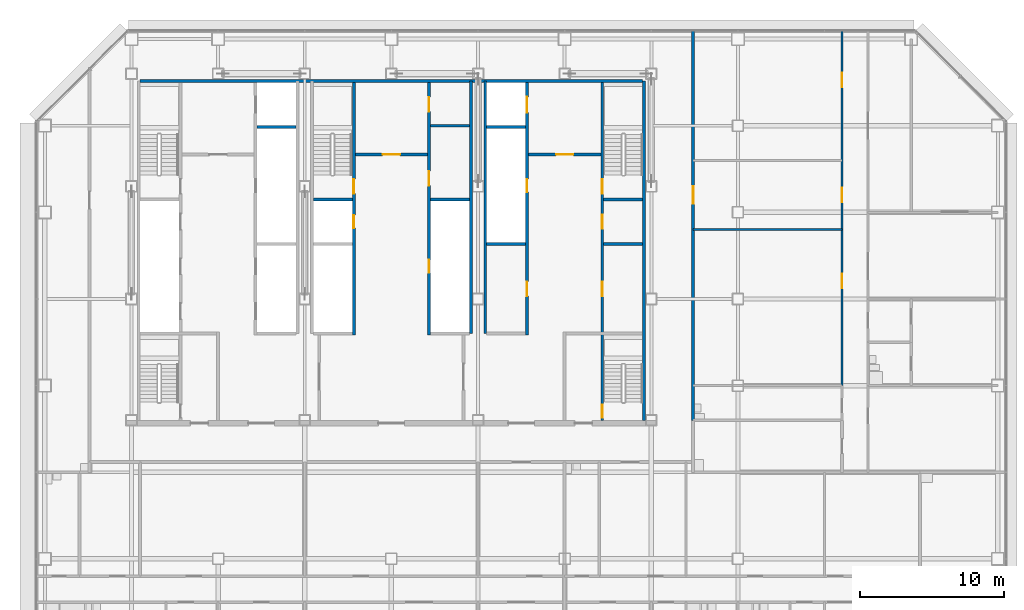
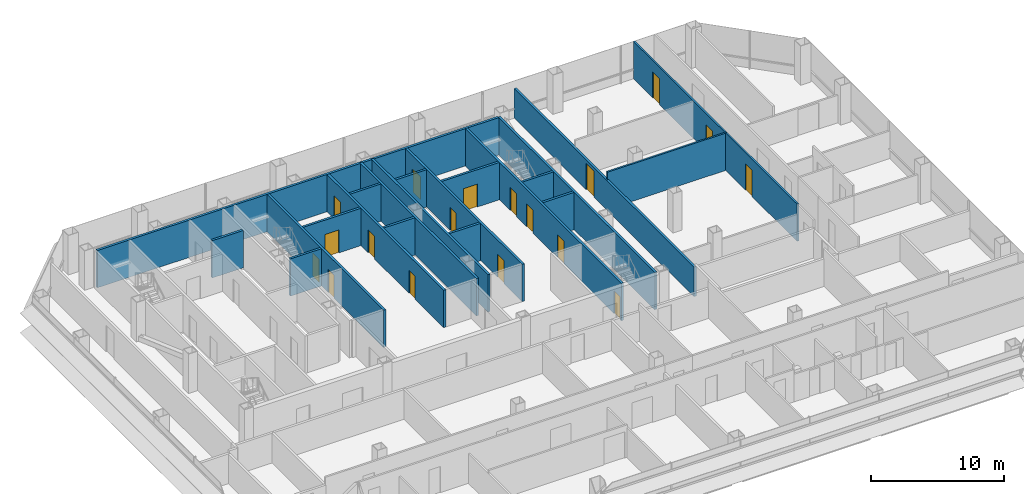
# One storey, part 23 of 27: 21 walls, 18 doors, 18 openings.
"""IFC4 building model written with IfcOpenShell, lengths in metres."""

import ifcopenshell
import ifcopenshell.guid

model = None  # the IFC model being written
_history = None  # IfcOwnerHistory: only IFC2X3 demands one
_inside = {}  # id of a spatial element -> (the spatial element, [elements in it])
_under = {}  # id of a project, library or spatial element -> (it, [spatial elements below it])
_declared = {}  # id of a project -> (the project, [libraries it declares])
_typed = {}  # id of a type object -> (the type object, [elements of that type])
_made_of = {}  # id of a material, layer set ... -> (it, [elements and type objects made of it])


def new_model(schema):
    """Start an empty IFC model of exactly this schema.

    Asked for "IFC4X3", IfcOpenShell would pick the latest addendum, in which some entities
    have other attributes; the version numbers below select the first issue.
    IFC2X3 requires an IfcOwnerHistory on every rooted entity: one is made here for all.
    """
    global model, _history
    if schema == "IFC4X3":
        model = ifcopenshell.file(schema_version=(4, 3, 0, 0))
    else:
        model = ifcopenshell.file(schema=schema)
    _inside.clear()
    _under.clear()
    _declared.clear()
    _typed.clear()
    _made_of.clear()
    _history = None
    if model.schema == "IFC2X3":
        org = make("IfcOrganization", Name="unknown")
        user = make(
            "IfcPersonAndOrganization",
            ThePerson=make("IfcPerson", FamilyName="unknown"),
            TheOrganization=org,
        )
        app = make(
            "IfcApplication",
            ApplicationDeveloper=org,
            Version="unknown",
            ApplicationFullName="unknown",
            ApplicationIdentifier="unknown",
        )
        _history = make(
            "IfcOwnerHistory",
            OwningUser=user,
            OwningApplication=app,
            ChangeAction="ADDED",
            CreationDate=0,
        )
    return model


def make(cls, **values):
    """One entity of the class cls with the attributes given. An attribute that is None is left unset."""
    return model.create_entity(
        cls, **{name: value for name, value in values.items() if value is not None}
    )


def rooted(cls, **values):
    """An entity with a GlobalId (a new one), such as an element, a storey or a relation."""
    return make(cls, GlobalId=ifcopenshell.guid.new(), OwnerHistory=_history, **values)


def si_unit(unit_type, name, prefix=None):
    """IfcSIUnit, for example si_unit("LENGTHUNIT", "METRE", prefix="MILLI")."""
    return make("IfcSIUnit", UnitType=unit_type, Prefix=prefix, Name=name)


def assignment(units):
    """IfcUnitAssignment: the units of a project."""
    return None if units is None else make("IfcUnitAssignment", Units=units)


def point(xyz):
    """IfcCartesianPoint."""
    return None if xyz is None else make("IfcCartesianPoint", Coordinates=xyz)


def direction(xyz):
    """IfcDirection."""
    return None if xyz is None else make("IfcDirection", DirectionRatios=xyz)


def frame(location, z_axis=None, x_axis=None):
    """IfcAxis2Placement3D, a coordinate frame: its origin and axes. An axis left out is left unset."""
    return make(
        "IfcAxis2Placement3D",
        Location=point(location),
        Axis=direction(z_axis),
        RefDirection=direction(x_axis),
    )


def frame_2d(location, x_axis=None):
    """IfcAxis2Placement2D, a coordinate frame in the plane: its origin and x axis."""
    return make(
        "IfcAxis2Placement2D", Location=point(location), RefDirection=direction(x_axis)
    )


def origin():
    """The frame at (0, 0, 0) with its axes left unset."""
    return frame((0.0, 0.0, 0.0))


def place(relative_to, where):
    """IfcLocalPlacement: puts the frame where relative to a parent placement (None: the world)."""
    return make(
        "IfcLocalPlacement", PlacementRelTo=relative_to, RelativePlacement=where
    )


def context(
    kind, dimensions, precision=None, world=None, true_north=None, identifier=None
):
    """IfcGeometricRepresentationContext, for example the 3D "Model" context."""
    return make(
        "IfcGeometricRepresentationContext",
        ContextIdentifier=identifier,
        ContextType=kind,
        CoordinateSpaceDimension=dimensions,
        Precision=precision,
        WorldCoordinateSystem=world,
        TrueNorth=true_north,
    )


def subcontext(parent, identifier, kind, view, scale=None):
    """IfcGeometricRepresentationSubContext, for example "Body" below "Model"."""
    return make(
        "IfcGeometricRepresentationSubContext",
        ContextIdentifier=identifier,
        ContextType=kind,
        ParentContext=parent,
        TargetScale=scale,
        TargetView=view,
    )


def project(units=None, contexts=None):
    """IfcProject with its units and contexts."""
    return rooted(
        "IfcProject",
        Name="project",
        RepresentationContexts=contexts,
        UnitsInContext=assignment(units),
    )


def spatial(cls, under=None, at=None, **own):
    """A site, building, storey or space (cls), placed at a placement, below another one or the project."""
    s = rooted(cls, ObjectPlacement=at, **own)
    if under is not None:
        _under.setdefault(under.id(), (under, []))[1].append(s)
    return s


def profile(cls, at=None, kind="AREA", **sizes):
    """A parametric profile (cls). Its sizes go by their IFC names, for example OverallWidth=200.0."""
    return make(cls, ProfileType=kind, Position=at, **sizes)


def rectangle(**sizes):
    """IfcRectangleProfileDef."""
    return profile("IfcRectangleProfileDef", **sizes)


def extrude(swept, where, along, depth):
    """IfcExtrudedAreaSolid: the profile swept, set in the frame where, extruded along a direction by depth."""
    return make(
        "IfcExtrudedAreaSolid",
        SweptArea=swept,
        Position=where,
        ExtrudedDirection=direction(along),
        Depth=depth,
    )


def shape(context_of_items, identifier, shape_type, items):
    """IfcShapeRepresentation: the items that make up one representation, for example the "Body"."""
    return make(
        "IfcShapeRepresentation",
        ContextOfItems=context_of_items,
        RepresentationIdentifier=identifier,
        RepresentationType=shape_type,
        Items=items,
    )


def material(Name=None, Category=None):
    """IfcMaterial."""
    return make("IfcMaterial", Name=Name, Category=Category)


def layer(
    of_material, thickness, ventilated=None, Name=None, Category=None, Priority=None
):
    """IfcMaterialLayer: one layer of a wall or slab, of a material (None: an air gap)."""
    return make(
        "IfcMaterialLayer",
        Material=of_material,
        LayerThickness=thickness,
        IsVentilated=ventilated,
        Name=Name,
        Category=Category,
        Priority=Priority,
    )


def layer_set(layers, Name=None):
    """IfcMaterialLayerSet."""
    return make("IfcMaterialLayerSet", MaterialLayers=layers, LayerSetName=Name)


def made_of(thing, what):
    """Note that an element or type object is made of a material, layer set ...; save() writes the relation."""
    if what is not None:
        _made_of.setdefault(what.id(), (what, []))[1].append(thing)
    return thing


def type_object(cls, material=None, **own):
    """A type object (cls), such as IfcWallType, which elements share."""
    return made_of(rooted(cls, **own), material)


def element(
    cls,
    number,
    at=None,
    inside=None,
    cuts=None,
    type_object=None,
    material=None,
    context=None,
    identifier="Body",
    shape_type=None,
    held_by="IfcProductDefinitionShape",
    body=None,
    shapes=None,
    **own,
):
    """One element of the class cls, such as IfcWall. Its Tag is "e" and its number.

    at: its placement. inside: the storey or other place that contains it. cuts: it is an
    opening in that element (IfcRelVoidsElement). A single representation is given by context,
    identifier, shape_type and body (its items); several are given by shapes. held_by: the class
    of the entity that holds the representations. save() writes the other relations.
    """
    e = rooted(cls, Tag="e%d" % number, ObjectPlacement=at, **own)
    if body is not None:
        shapes = [shape(context, identifier, shape_type, body)]
    if shapes is not None:
        e.Representation = make(held_by, Representations=shapes)
    if inside is not None:
        _inside.setdefault(inside.id(), (inside, []))[1].append(e)
    if cuts is not None:
        rooted(
            "IfcRelVoidsElement", RelatingBuildingElement=cuts, RelatedOpeningElement=e
        )
    if type_object is not None:
        _typed.setdefault(type_object.id(), (type_object, []))[1].append(e)
    return made_of(e, material)


def fill(opening, filler):
    """IfcRelFillsElement: the door or window that sits in an opening."""
    return rooted(
        "IfcRelFillsElement",
        RelatingOpeningElement=opening,
        RelatedBuildingElement=filler,
    )


def aggregate(whole, parts):
    """IfcRelAggregates: a whole, such as a stair, and the parts it consists of."""
    return rooted("IfcRelAggregates", RelatingObject=whole, RelatedObjects=parts)


def save(model, path):
    """Write the relations noted so far, then the file.

    IfcRelAggregates (storeys below a building ...), IfcRelContainedInSpatialStructure (elements
    in a storey), IfcRelDefinesByType, IfcRelAssociatesMaterial and IfcRelDeclares: one each for
    every whole, place, type object, material and project.
    """
    for whole, parts in _under.values():
        aggregate(whole, parts)
    for where, things in _inside.values():
        rooted(
            "IfcRelContainedInSpatialStructure",
            RelatedElements=things,
            RelatingStructure=where,
        )
    for kind, things in _typed.values():
        rooted("IfcRelDefinesByType", RelatedObjects=things, RelatingType=kind)
    for what, things in _made_of.values():
        rooted("IfcRelAssociatesMaterial", RelatedObjects=things, RelatingMaterial=what)
    for by, libraries in _declared.values():
        rooted("IfcRelDeclares", RelatingContext=by, RelatedDefinitions=libraries)
    model.write(path)


model = new_model("IFC4")

# Units and contexts
model_context = context("Model", 3, precision=1e-05, world=origin(), true_north=direction((0.0, 1.0)))
body_context = subcontext(model_context, "Body", "Model", "MODEL_VIEW")
ifc_project = project(units=[si_unit("LENGTHUNIT", "METRE"), si_unit("AREAUNIT", "SQUARE_METRE"), si_unit("VOLUMEUNIT", "CUBIC_METRE"), si_unit("PLANEANGLEUNIT", "RADIAN"), si_unit("MASSUNIT", "GRAM", prefix="KILO")], contexts=[model_context])

# Site, building, storey
site_placement = place(None, origin())
site = spatial("IfcSite", under=ifc_project, at=site_placement, CompositionType="ELEMENT")
building_placement = place(site_placement, origin())
building = spatial("IfcBuilding", under=site, at=building_placement, Name="Sorahane Residences", CompositionType="ELEMENT")
storey_placement = place(building_placement, frame((0.0, 0.0, 53.39990234375)))
storey = spatial("IfcBuildingStorey", under=building, at=storey_placement, Name="L09", CompositionType="ELEMENT", Elevation=53.39990234375)

# Walls
ifc_material_1 = material(Name="Concrete C30", Category="concrete")
ifc_layer_1 = layer(ifc_material_1, 0.199951171875)
ifc_layer_set_1 = layer_set([ifc_layer_1], Name="Core face wall 200 EI 180")
wall_type_1 = type_object("IfcWallType", Name="Core face wall 200 EI 180", PredefinedType="SOLIDWALL", material=ifc_layer_set_1)
wall_1_placement = place(storey_placement, frame((41.5, 21.60009765625, 0.0), z_axis=(0.0, 0.0, 1.0), x_axis=(0.0, 1.0, 0.0)))
element("IfcWall", 1, at=wall_1_placement, inside=storey, type_object=wall_type_1, Name="L09 core face wall", PredefinedType="SOLIDWALL", context=body_context, shape_type="SweptSolid", body=[
    extrude(rectangle(XDim=23.5, YDim=0.199951171875, at=frame_2d((11.75, 0.0))), origin(), (0.0, 0.0, 1.0), 3.420166015625),
])
wall_2_placement = place(storey_placement, frame((6.60009765625, 45.10009765625, 0.0), z_axis=(0.0, 0.0, 1.0), x_axis=(1.0, 0.0, 0.0)))
element("IfcWall", 2, at=wall_2_placement, inside=storey, type_object=wall_type_1, Name="L09 core face wall", PredefinedType="SOLIDWALL", context=body_context, shape_type="SweptSolid", body=[
    extrude(rectangle(XDim=34.7998046875, YDim=0.199951171875, at=frame_2d((17.39990234375, 0.0))), origin(), (0.0, 0.0, 1.0), 3.420166015625),
])
for number, where, z_axis, x_axis, name in (
    (3, (29.5, 27.60009765625, 0.0), (0.0, 0.0, 1.0), (0.0, 1.0, 0.0), "L09 core face wall"),
    (4, (30.5, 27.60009765625, 0.0), (0.0, 0.0, 1.0), (0.0, 1.0, 0.0), "L09 core face wall"),
):
    element("IfcWall", number, at=place(storey_placement, frame(where, z_axis=z_axis, x_axis=x_axis)), inside=storey, type_object=wall_type_1, Name=name, PredefinedType="SOLIDWALL", context=body_context, shape_type="SweptSolid", body=[
        extrude(rectangle(XDim=17.5, YDim=0.199951171875, at=frame_2d((8.75, 0.0))), origin(), (0.0, 0.0, 1.0), 3.420166015625),
    ])

# Wall, opening, door
ifc_material_2 = material(Name="Concrete blockwork C20 wall", Category="masonry")
ifc_layer_2 = layer(ifc_material_2, 0.199951171875)
ifc_layer_set_2 = layer_set([ifc_layer_2], Name="Corridor wall 200 EI 120")
wall_type_2 = type_object("IfcWallType", Name="Corridor wall 200 EI 120", PredefinedType="SOLIDWALL", material=ifc_layer_set_2)
wall_3_placement = place(storey_placement, frame((44.89990234375, 21.60009765625, 0.0), z_axis=(0.0, 0.0, 1.0), x_axis=(0.0, 1.0, 0.0)))
wall_3 = element("IfcWall", 5, at=wall_3_placement, inside=storey, type_object=wall_type_2, Name="L09 corridor wall", PredefinedType="SOLIDWALL", context=body_context, shape_type="SweptSolid", body=[
    extrude(rectangle(XDim=27.0, YDim=0.199951171875, at=frame_2d((13.5, 0.0))), origin(), (0.0, 0.0, 1.0), 2.72021484375),
])
opening_1_placement = place(wall_3_placement, frame((15.0, 0.0, 0.0)))
opening_1 = element("IfcOpeningElement", 6, at=opening_1_placement, cuts=wall_3, Name="Opening L09-42", PredefinedType="OPENING", context=body_context, shape_type="SweptSolid", body=[
    extrude(rectangle(XDim=1.199951171875, YDim=2.39990234375, at=frame_2d((0.60009765625, 1.199951171875))), frame((0.0, 0.10986328125, 0.0), z_axis=(0.0, -1.0, 0.0), x_axis=(1.0, 0.0, 0.0)), (0.0, 0.0, 1.0), 0.219970703125),
])
ifc_material_3 = material(Name="Timber veneered fire door", Category="wood")
door_type_1 = type_object("IfcDoorType", Name="Flat entrance door 1200x2400 FD60", OperationType="NOTDEFINED", PredefinedType="DOOR", material=ifc_material_3)
door_1_placement = place(opening_1_placement, frame((1.199951171875, 0.0, 0.0), z_axis=(0.0, 0.0, 1.0), x_axis=(-1.0, 0.0, 0.0)))
door_1 = element("IfcDoor", 7, at=door_1_placement, inside=storey, type_object=door_type_1, Name="Flat entrance door L09-42", OperationType="SINGLE_SWING_RIGHT", OverallHeight=2.39990234375, OverallWidth=1.199951171875, PredefinedType="DOOR", context=body_context, shape_type="SweptSolid", body=[
    extrude(rectangle(XDim=1.199951171875, YDim=2.39990234375, at=frame_2d((0.60009765625, 1.199951171875))), frame((0.0, 0.02490234375, 0.0), z_axis=(0.0, -1.0, 0.0), x_axis=(1.0, 0.0, 0.0)), (0.0, 0.0, 1.0), 0.050048828125),
])
fill(opening_1, door_1)

ifc_material_4 = material(Name="Concrete C30", Category="concrete")
ifc_layer_3 = layer(ifc_material_4, 0.199951171875)
ifc_layer_set_3 = layer_set([ifc_layer_3], Name="Front room wall 200 EI 120")
wall_type_3 = type_object("IfcWallType", Name="Front room wall 200 EI 120", PredefinedType="PARTITIONING", material=ifc_layer_set_3)
wall_4_placement = place(storey_placement, frame((21.5, 40.0, 0.0), z_axis=(0.0, 0.0, 1.0), x_axis=(1.0, 0.0, 0.0)))
wall_4 = element("IfcWall", 8, at=wall_4_placement, inside=storey, type_object=wall_type_3, Name="L09 front room wall", PredefinedType="PARTITIONING", context=body_context, shape_type="SweptSolid", body=[
    extrude(rectangle(XDim=5.0, YDim=0.199951171875, at=frame_2d((2.5, 0.0))), origin(), (0.0, 0.0, 1.0), 3.420166015625),
])
opening_2_placement = place(wall_4_placement, frame((1.89990234375, 0.0, 0.0)))
opening_2 = element("IfcOpeningElement", 9, at=opening_2_placement, cuts=wall_4, Name="Opening L09-C09", PredefinedType="OPENING", context=body_context, shape_type="SweptSolid", body=[
    extrude(rectangle(XDim=1.199951171875, YDim=2.10009765625, at=frame_2d((0.60009765625, 1.050048828125))), frame((0.0, 0.10986328125, 0.0), z_axis=(0.0, -1.0, 0.0), x_axis=(1.0, 0.0, 0.0)), (0.0, 0.0, 1.0), 0.219970703125),
])
ifc_material_5 = material(Name="Steel", Category="steel")
door_type_2 = type_object("IfcDoorType", Name="Front room door 1200x2100 FD120", OperationType="NOTDEFINED", PredefinedType="DOOR", material=ifc_material_5)
door_2_placement = place(opening_2_placement, frame((1.199951171875, 0.0, 0.0), z_axis=(0.0, 0.0, 1.0), x_axis=(-1.0, 0.0, 0.0)))
door_2 = element("IfcDoor", 10, at=door_2_placement, inside=storey, type_object=door_type_2, Name="Front room door Stair S3 vestibule L09", OperationType="DOUBLE_DOOR_SINGLE_SWING", OverallHeight=2.10009765625, OverallWidth=1.199951171875, PredefinedType="DOOR", context=body_context, shape_type="SweptSolid", body=[
    extrude(rectangle(XDim=1.199951171875, YDim=2.10009765625, at=frame_2d((0.60009765625, 1.050048828125))), frame((0.0, 0.02490234375, 0.0), z_axis=(0.0, -1.0, 0.0), x_axis=(1.0, 0.0, 0.0)), (0.0, 0.0, 1.0), 0.050048828125),
])
fill(opening_2, door_2)

wall_5_placement = place(storey_placement, frame((33.5, 40.0, 0.0), z_axis=(0.0, 0.0, 1.0), x_axis=(1.0, 0.0, 0.0)))
wall_5 = element("IfcWall", 11, at=wall_5_placement, inside=storey, type_object=wall_type_3, Name="L09 front room wall", PredefinedType="PARTITIONING", context=body_context, shape_type="SweptSolid", body=[
    extrude(rectangle(XDim=5.0, YDim=0.199951171875, at=frame_2d((2.5, 0.0))), origin(), (0.0, 0.0, 1.0), 3.420166015625),
])
opening_3_placement = place(wall_5_placement, frame((1.89990234375, 0.0, 0.0)))
opening_3 = element("IfcOpeningElement", 12, at=opening_3_placement, cuts=wall_5, Name="Opening L09-C10", PredefinedType="OPENING", context=body_context, shape_type="SweptSolid", body=[
    extrude(rectangle(XDim=1.199951171875, YDim=2.10009765625, at=frame_2d((0.60009765625, 1.050048828125))), frame((0.0, 0.10986328125, 0.0), z_axis=(0.0, -1.0, 0.0), x_axis=(1.0, 0.0, 0.0)), (0.0, 0.0, 1.0), 0.219970703125),
])
door_3_placement = place(opening_3_placement, frame((1.199951171875, 0.0, 0.0), z_axis=(0.0, 0.0, 1.0), x_axis=(-1.0, 0.0, 0.0)))
door_3 = element("IfcDoor", 13, at=door_3_placement, inside=storey, type_object=door_type_2, Name="Front room door Firefighting lobby FF2 front room L09", OperationType="DOUBLE_DOOR_SINGLE_SWING", OverallHeight=2.10009765625, OverallWidth=1.199951171875, PredefinedType="DOOR", context=body_context, shape_type="SweptSolid", body=[
    extrude(rectangle(XDim=1.199951171875, YDim=2.10009765625, at=frame_2d((0.60009765625, 1.050048828125))), frame((0.0, 0.02490234375, 0.0), z_axis=(0.0, -1.0, 0.0), x_axis=(1.0, 0.0, 0.0)), (0.0, 0.0, 1.0), 0.050048828125),
])
fill(opening_3, door_3)

# Wall, openings, doors
ifc_material_6 = material(Name="Concrete C30", Category="concrete")
ifc_layer_4 = layer(ifc_material_6, 0.199951171875)
ifc_layer_set_4 = layer_set([ifc_layer_4], Name="Lift shaft wall 200 EI 120")
wall_type_4 = type_object("IfcWallType", Name="Lift shaft wall 200 EI 120", PredefinedType="SOLIDWALL", material=ifc_layer_set_4)
wall_6_placement = place(storey_placement, frame((33.39990234375, 27.5, 0.0), z_axis=(0.0, 0.0, 1.0), x_axis=(0.0, 1.0, 0.0)))
wall_6 = element("IfcWall", 14, at=wall_6_placement, inside=storey, type_object=wall_type_4, Name="L09 lift shaft wall", PredefinedType="SOLIDWALL", context=body_context, shape_type="SweptSolid", body=[
    extrude(rectangle(XDim=17.5, YDim=0.199951171875, at=frame_2d((8.75, 0.0))), origin(), (0.0, 0.0, 1.0), 3.420166015625),
])
opening_4_placement = place(wall_6_placement, frame((15.39990234375, 0.0, 0.0)))
opening_4 = element("IfcOpeningElement", 15, at=opening_4_placement, cuts=wall_6, Name="Opening L09-C11", PredefinedType="OPENING", context=body_context, shape_type="SweptSolid", body=[
    extrude(rectangle(XDim=1.10009765625, YDim=2.10009765625, at=frame_2d((0.550048828125, 1.050048828125))), frame((0.0, 0.10986328125, 0.0), z_axis=(0.0, -1.0, 0.0), x_axis=(1.0, 0.0, 0.0)), (0.0, 0.0, 1.0), 0.219970703125),
])
opening_5_placement = place(wall_6_placement, frame((2.699951171875, 0.0, 0.0)))
opening_5 = element("IfcOpeningElement", 16, at=opening_5_placement, cuts=wall_6, Name="Opening L09-C20", PredefinedType="OPENING", context=body_context, shape_type="SweptSolid", body=[
    extrude(rectangle(XDim=1.0, YDim=2.10009765625, at=frame_2d((0.5, 1.050048828125))), frame((0.0, 0.10986328125, 0.0), z_axis=(0.0, -1.0, 0.0), x_axis=(1.0, 0.0, 0.0)), (0.0, 0.0, 1.0), 0.219970703125),
])
opening_6_placement = place(wall_6_placement, frame((9.89990234375, 0.0, 0.0)))
opening_6 = element("IfcOpeningElement", 17, at=opening_6_placement, cuts=wall_6, Name="Opening L09-C27", PredefinedType="OPENING", context=body_context, shape_type="SweptSolid", body=[
    extrude(rectangle(XDim=0.89990234375, YDim=2.10009765625, at=frame_2d((0.449951171875, 1.050048828125))), frame((0.0, 0.10986328125, 0.0), z_axis=(0.0, -1.0, 0.0), x_axis=(1.0, 0.0, 0.0)), (0.0, 0.0, 1.0), 0.219970703125),
])
ifc_material_7 = material(Name="Aluminium and stainless steel", Category="steel")
door_type_3 = type_object("IfcDoorType", Name="Lift landing door 1100x2100 E 60", OperationType="NOTDEFINED", PredefinedType="DOOR", material=ifc_material_7)
door_4_placement = place(opening_4_placement, origin())
door_4 = element("IfcDoor", 18, at=door_4_placement, inside=storey, type_object=door_type_3, Name="Lift landing door FF2 L09", OperationType="DOUBLE_DOOR_SLIDING", OverallHeight=2.10009765625, OverallWidth=1.10009765625, PredefinedType="DOOR", context=body_context, shape_type="SweptSolid", body=[
    extrude(rectangle(XDim=1.10009765625, YDim=2.10009765625, at=frame_2d((0.550048828125, 1.050048828125))), frame((0.0, 0.02490234375, 0.0), z_axis=(0.0, -1.0, 0.0), x_axis=(1.0, 0.0, 0.0)), (0.0, 0.0, 1.0), 0.050048828125),
])
fill(opening_4, door_4)
ifc_material_8 = material(Name="Steel", Category="steel")
door_type_4 = type_object("IfcDoorType", Name="Riser door 900x2100 FD120", OperationType="NOTDEFINED", PredefinedType="DOOR", material=ifc_material_8)
door_5_placement = place(opening_6_placement, frame((0.89990234375, 0.0, 0.0), z_axis=(0.0, 0.0, 1.0), x_axis=(-1.0, 0.0, 0.0)))
door_5 = element("IfcDoor", 19, at=door_5_placement, inside=storey, type_object=door_type_4, Name="Riser door R2 L09", OperationType="SINGLE_SWING_LEFT", OverallHeight=2.10009765625, OverallWidth=0.89990234375, PredefinedType="DOOR", context=body_context, shape_type="SweptSolid", body=[
    extrude(rectangle(XDim=0.89990234375, YDim=2.10009765625, at=frame_2d((0.449951171875, 1.050048828125))), frame((0.0, 0.02490234375, 0.0), z_axis=(0.0, -1.0, 0.0), x_axis=(1.0, 0.0, 0.0)), (0.0, 0.0, 1.0), 0.050048828125),
])
fill(opening_6, door_5)
ifc_material_9 = material(Name="Steel", Category="steel")
door_type_5 = type_object("IfcDoorType", Name="Service room door 1000x2100 FD60", OperationType="NOTDEFINED", PredefinedType="DOOR", material=ifc_material_9)
door_6_placement = place(opening_5_placement, origin())
door_6 = element("IfcDoor", 20, at=door_6_placement, inside=storey, type_object=door_type_5, Name="Service room door Quiet room L09", OperationType="SINGLE_SWING_RIGHT", OverallHeight=2.10009765625, OverallWidth=1.0, PredefinedType="DOOR", context=body_context, shape_type="SweptSolid", body=[
    extrude(rectangle(XDim=1.0, YDim=2.10009765625, at=frame_2d((0.5, 1.050048828125))), frame((0.0, 0.02490234375, 0.0), z_axis=(0.0, -1.0, 0.0), x_axis=(1.0, 0.0, 0.0)), (0.0, 0.0, 1.0), 0.050048828125),
])
fill(opening_5, door_6)

# Walls
for number, where, z_axis, x_axis, name in (
    (21, (14.699951171875, 41.89990234375, 0.0), (0.0, 0.0, 1.0), (1.0, 0.0, 0.0), "L09 lift shaft wall"),
    (22, (30.60009765625, 41.89990234375, 0.0), (0.0, 0.0, 1.0), (1.0, 0.0, 0.0), "L09 lift shaft wall"),
):
    element("IfcWall", number, at=place(storey_placement, frame(where, z_axis=z_axis, x_axis=x_axis)), inside=storey, type_object=wall_type_4, Name=name, PredefinedType="SOLIDWALL", context=body_context, shape_type="SweptSolid", body=[
        extrude(rectangle(XDim=2.699951171875, YDim=0.199951171875, at=frame_2d((1.35009765625, 0.0))), origin(), (0.0, 0.0, 1.0), 3.420166015625),
    ])

# Wall, openings, doors
ifc_material_10 = material(Name="Gypsum board partition on steel studs", Category="steel")
ifc_layer_5 = layer(ifc_material_10, 0.14990234375)
ifc_layer_set_5 = layer_set([ifc_layer_5], Name="Partition 150 EI 90")
wall_type_5 = type_object("IfcWallType", Name="Partition 150 EI 90", PredefinedType="PARTITIONING", material=ifc_layer_set_5)
wall_7_placement = place(storey_placement, frame((55.199951171875, 24.0, 0.0), z_axis=(0.0, 0.0, 1.0), x_axis=(0.0, 1.0, 0.0)))
wall_7 = element("IfcWall", 23, at=wall_7_placement, inside=storey, type_object=wall_type_5, Name="L09 partition", PredefinedType="PARTITIONING", context=body_context, shape_type="SweptSolid", body=[
    extrude(rectangle(XDim=24.60009765625, YDim=0.14990234375, at=frame_2d((12.300048828125, 0.0))), origin(), (0.0, 0.0, 1.0), 3.420166015625),
])
opening_7_placement = place(wall_7_placement, frame((12.699951171875, 0.0, 0.0)))
opening_7 = element("IfcOpeningElement", 24, at=opening_7_placement, cuts=wall_7, Name="Opening L09-28", PredefinedType="OPENING", context=body_context, shape_type="SweptSolid", body=[
    extrude(rectangle(XDim=1.0, YDim=2.39990234375, at=frame_2d((0.5, 1.199951171875))), frame((0.0, 0.0849609375, 0.0), z_axis=(0.0, -1.0, 0.0), x_axis=(1.0, 0.0, 0.0)), (0.0, 0.0, 1.0), 0.169921875),
])
opening_8_placement = place(wall_7_placement, frame((6.760009765625, 0.0, 0.0)))
opening_8 = element("IfcOpeningElement", 25, at=opening_8_placement, cuts=wall_7, Name="Opening L09-31", PredefinedType="OPENING", context=body_context, shape_type="SweptSolid", body=[
    extrude(rectangle(XDim=1.0, YDim=2.39990234375, at=frame_2d((0.5, 1.199951171875))), frame((0.0, 0.0849609375, 0.0), z_axis=(0.0, -1.0, 0.0), x_axis=(1.0, 0.0, 0.0)), (0.0, 0.0, 1.0), 0.169921875),
])
opening_9_placement = place(wall_7_placement, frame((20.679931640625, 0.0, 0.0)))
opening_9 = element("IfcOpeningElement", 26, at=opening_9_placement, cuts=wall_7, Name="Opening L09-32", PredefinedType="OPENING", context=body_context, shape_type="SweptSolid", body=[
    extrude(rectangle(XDim=1.0, YDim=2.39990234375, at=frame_2d((0.5, 1.199951171875))), frame((0.0, 0.0849609375, 0.0), z_axis=(0.0, -1.0, 0.0), x_axis=(1.0, 0.0, 0.0)), (0.0, 0.0, 1.0), 0.169921875),
])
ifc_material_11 = material(Name="Timber veneered fire door", Category="wood")
door_type_6 = type_object("IfcDoorType", Name="Room door 1000x2400 FD30", OperationType="NOTDEFINED", PredefinedType="DOOR", material=ifc_material_11)
door_7_placement = place(opening_7_placement, frame((1.0, 0.0, 0.0), z_axis=(0.0, 0.0, 1.0), x_axis=(-1.0, 0.0, 0.0)))
door_7 = element("IfcDoor", 27, at=door_7_placement, inside=storey, type_object=door_type_6, Name="Room door L09-28", OperationType="SINGLE_SWING_LEFT", OverallHeight=2.39990234375, OverallWidth=1.0, PredefinedType="DOOR", context=body_context, shape_type="SweptSolid", body=[
    extrude(rectangle(XDim=1.0, YDim=2.39990234375, at=frame_2d((0.5, 1.199951171875))), frame((0.0, 0.02490234375, 0.0), z_axis=(0.0, -1.0, 0.0), x_axis=(1.0, 0.0, 0.0)), (0.0, 0.0, 1.0), 0.050048828125),
])
fill(opening_7, door_7)
door_8_placement = place(opening_8_placement, origin())
door_8 = element("IfcDoor", 28, at=door_8_placement, inside=storey, type_object=door_type_6, Name="Room door L09-31", OperationType="SINGLE_SWING_LEFT", OverallHeight=2.39990234375, OverallWidth=1.0, PredefinedType="DOOR", context=body_context, shape_type="SweptSolid", body=[
    extrude(rectangle(XDim=1.0, YDim=2.39990234375, at=frame_2d((0.5, 1.199951171875))), frame((0.0, 0.02490234375, 0.0), z_axis=(0.0, -1.0, 0.0), x_axis=(1.0, 0.0, 0.0)), (0.0, 0.0, 1.0), 0.050048828125),
])
fill(opening_8, door_8)
door_9_placement = place(opening_9_placement, origin())
door_9 = element("IfcDoor", 29, at=door_9_placement, inside=storey, type_object=door_type_6, Name="Room door L09-32", OperationType="SINGLE_SWING_RIGHT", OverallHeight=2.39990234375, OverallWidth=1.0, PredefinedType="DOOR", context=body_context, shape_type="SweptSolid", body=[
    extrude(rectangle(XDim=1.0, YDim=2.39990234375, at=frame_2d((0.5, 1.199951171875))), frame((0.0, 0.02490234375, 0.0), z_axis=(0.0, -1.0, 0.0), x_axis=(1.0, 0.0, 0.0)), (0.0, 0.0, 1.0), 0.050048828125),
])
fill(opening_9, door_9)

# Wall
wall_8_placement = place(storey_placement, frame((44.89990234375, 34.800048828125, 0.0), z_axis=(0.0, 0.0, 1.0), x_axis=(1.0, 0.0, 0.0)))
element("IfcWall", 30, at=wall_8_placement, inside=storey, type_object=wall_type_5, Name="L09 partition", PredefinedType="PARTITIONING", context=body_context, shape_type="SweptSolid", body=[
    extrude(rectangle(XDim=10.300048828125, YDim=0.14990234375, at=frame_2d((5.14990234375, 0.0))), origin(), (0.0, 0.0, 1.0), 3.420166015625),
])

# Wall, openings, doors
ifc_material_12 = material(Name="Concrete C30", Category="concrete")
ifc_layer_6 = layer(ifc_material_12, 0.199951171875)
ifc_layer_set_6 = layer_set([ifc_layer_6], Name="Riser shaft wall 200 EI 120")
wall_type_6 = type_object("IfcWallType", Name="Riser shaft wall 200 EI 120", PredefinedType="SOLIDWALL", material=ifc_layer_set_6)
wall_9_placement = place(storey_placement, frame((26.60009765625, 27.5, 0.0), z_axis=(0.0, 0.0, 1.0), x_axis=(0.0, 1.0, 0.0)))
wall_9 = element("IfcWall", 31, at=wall_9_placement, inside=storey, type_object=wall_type_6, Name="L09 riser wall", PredefinedType="SOLIDWALL", context=body_context, shape_type="SweptSolid", body=[
    extrude(rectangle(XDim=17.5, YDim=0.199951171875, at=frame_2d((8.75, 0.0))), origin(), (0.0, 0.0, 1.0), 3.420166015625),
])
opening_10_placement = place(wall_9_placement, frame((4.300048828125, 0.0, 0.0)))
opening_10 = element("IfcOpeningElement", 32, at=opening_10_placement, cuts=wall_9, Name="Opening L09-C29", PredefinedType="OPENING", context=body_context, shape_type="SweptSolid", body=[
    extrude(rectangle(XDim=0.89990234375, YDim=2.10009765625, at=frame_2d((0.449951171875, 1.050048828125))), frame((0.0, 0.10986328125, 0.0), z_axis=(0.0, -1.0, 0.0), x_axis=(1.0, 0.0, 0.0)), (0.0, 0.0, 1.0), 0.219970703125),
])
opening_11_placement = place(wall_9_placement, frame((10.35009765625, 0.0, 0.0)))
opening_11 = element("IfcOpeningElement", 33, at=opening_11_placement, cuts=wall_9, Name="Opening L09-C30", PredefinedType="OPENING", context=body_context, shape_type="SweptSolid", body=[
    extrude(rectangle(XDim=1.0, YDim=2.10009765625, at=frame_2d((0.5, 1.050048828125))), frame((0.0, 0.10986328125, 0.0), z_axis=(0.0, -1.0, 0.0), x_axis=(1.0, 0.0, 0.0)), (0.0, 0.0, 1.0), 0.219970703125),
])
opening_12_placement = place(wall_9_placement, frame((15.47509765625, 0.0, 0.0)))
opening_12 = element("IfcOpeningElement", 34, at=opening_12_placement, cuts=wall_9, Name="Opening L09-C31", PredefinedType="OPENING", context=body_context, shape_type="SweptSolid", body=[
    extrude(rectangle(XDim=1.0, YDim=2.10009765625, at=frame_2d((0.5, 1.050048828125))), frame((0.0, 0.10986328125, 0.0), z_axis=(0.0, -1.0, 0.0), x_axis=(1.0, 0.0, 0.0)), (0.0, 0.0, 1.0), 0.219970703125),
])
door_10_placement = place(opening_10_placement, origin())
door_10 = element("IfcDoor", 35, at=door_10_placement, inside=storey, type_object=door_type_4, Name="Riser door R4 L09", OperationType="SINGLE_SWING_LEFT", OverallHeight=2.10009765625, OverallWidth=0.89990234375, PredefinedType="DOOR", context=body_context, shape_type="SweptSolid", body=[
    extrude(rectangle(XDim=0.89990234375, YDim=2.10009765625, at=frame_2d((0.449951171875, 1.050048828125))), frame((0.0, 0.02490234375, 0.0), z_axis=(0.0, -1.0, 0.0), x_axis=(1.0, 0.0, 0.0)), (0.0, 0.0, 1.0), 0.050048828125),
])
fill(opening_10, door_10)
door_11_placement = place(opening_11_placement, frame((1.0, 0.0, 0.0), z_axis=(0.0, 0.0, 1.0), x_axis=(-1.0, 0.0, 0.0)))
door_11 = element("IfcDoor", 36, at=door_11_placement, inside=storey, type_object=door_type_5, Name="Service room door Parcel room L09", OperationType="SINGLE_SWING_LEFT", OverallHeight=2.10009765625, OverallWidth=1.0, PredefinedType="DOOR", context=body_context, shape_type="SweptSolid", body=[
    extrude(rectangle(XDim=1.0, YDim=2.10009765625, at=frame_2d((0.5, 1.050048828125))), frame((0.0, 0.02490234375, 0.0), z_axis=(0.0, -1.0, 0.0), x_axis=(1.0, 0.0, 0.0)), (0.0, 0.0, 1.0), 0.050048828125),
])
fill(opening_11, door_11)
door_12_placement = place(opening_12_placement, frame((1.0, 0.0, 0.0), z_axis=(0.0, 0.0, 1.0), x_axis=(-1.0, 0.0, 0.0)))
door_12 = element("IfcDoor", 37, at=door_12_placement, inside=storey, type_object=door_type_5, Name="Service room door Refuse room L09", OperationType="SINGLE_SWING_RIGHT", OverallHeight=2.10009765625, OverallWidth=1.0, PredefinedType="DOOR", context=body_context, shape_type="SweptSolid", body=[
    extrude(rectangle(XDim=1.0, YDim=2.10009765625, at=frame_2d((0.5, 1.050048828125))), frame((0.0, 0.02490234375, 0.0), z_axis=(0.0, -1.0, 0.0), x_axis=(1.0, 0.0, 0.0)), (0.0, 0.0, 1.0), 0.050048828125),
])
fill(opening_12, door_12)

# Walls
for number, where, z_axis, x_axis, name in (
    (38, (30.60009765625, 33.800048828125, 0.0), (0.0, 0.0, 1.0), (1.0, 0.0, 0.0), "L09 riser wall"),
    (39, (26.699951171875, 36.89990234375, 0.0), (0.0, 0.0, 1.0), (1.0, 0.0, 0.0), "L09 riser wall"),
):
    element("IfcWall", number, at=place(storey_placement, frame(where, z_axis=z_axis, x_axis=x_axis)), inside=storey, type_object=wall_type_6, Name=name, PredefinedType="SOLIDWALL", context=body_context, shape_type="SweptSolid", body=[
        extrude(rectangle(XDim=2.699951171875, YDim=0.199951171875, at=frame_2d((1.35009765625, 0.0))), origin(), (0.0, 0.0, 1.0), 3.420166015625),
    ])
ifc_material_13 = material(Name="Concrete C30", Category="concrete")
ifc_layer_7 = layer(ifc_material_13, 0.199951171875)
ifc_layer_set_7 = layer_set([ifc_layer_7], Name="Service room partition 200 EI 60")
wall_type_7 = type_object("IfcWallType", Name="Service room partition 200 EI 60", PredefinedType="PARTITIONING", material=ifc_layer_set_7)
for number, where, z_axis, x_axis, name in (
    (40, (38.699951171875, 33.800048828125, 0.0), (0.0, 0.0, 1.0), (1.0, 0.0, 0.0), "L09 service room wall"),
    (41, (26.699951171875, 42.0, 0.0), (0.0, 0.0, 1.0), (1.0, 0.0, 0.0), "L09 service room wall"),
):
    element("IfcWall", number, at=place(storey_placement, frame(where, z_axis=z_axis, x_axis=x_axis)), inside=storey, type_object=wall_type_7, Name=name, PredefinedType="PARTITIONING", context=body_context, shape_type="SweptSolid", body=[
        extrude(rectangle(XDim=2.699951171875, YDim=0.199951171875, at=frame_2d((1.35009765625, 0.0))), origin(), (0.0, 0.0, 1.0), 3.420166015625),
    ])

# Wall, openings, doors
ifc_material_14 = material(Name="Concrete C30", Category="concrete")
ifc_layer_8 = layer(ifc_material_14, 0.199951171875)
ifc_layer_set_8 = layer_set([ifc_layer_8], Name="Stair enclosure wall 200 EI 120")
wall_type_8 = type_object("IfcWallType", Name="Stair enclosure wall 200 EI 120", PredefinedType="SOLIDWALL", material=ifc_layer_set_8)
wall_10_placement = place(storey_placement, frame((21.39990234375, 27.5, 0.0), z_axis=(0.0, 0.0, 1.0), x_axis=(0.0, 1.0, 0.0)))
wall_10 = element("IfcWall", 42, at=wall_10_placement, inside=storey, type_object=wall_type_8, Name="L09 stair enclosure wall", PredefinedType="SOLIDWALL", context=body_context, shape_type="SweptSolid", body=[
    extrude(rectangle(XDim=17.5, YDim=0.199951171875, at=frame_2d((8.75, 0.0))), origin(), (0.0, 0.0, 1.0), 3.420166015625),
])
opening_13_placement = place(wall_10_placement, frame((9.800048828125, 0.0, 0.0)))
opening_13 = element("IfcOpeningElement", 43, at=opening_13_placement, cuts=wall_10, Name="Opening L09-C23", PredefinedType="OPENING", context=body_context, shape_type="SweptSolid", body=[
    extrude(rectangle(XDim=1.0, YDim=2.10009765625, at=frame_2d((0.5, 1.050048828125))), frame((0.0, 0.10986328125, 0.0), z_axis=(0.0, -1.0, 0.0), x_axis=(1.0, 0.0, 0.0)), (0.0, 0.0, 1.0), 0.219970703125),
])
opening_14_placement = place(wall_10_placement, frame((7.39990234375, 0.0, 0.0)))
opening_14 = element("IfcOpeningElement", 44, at=opening_14_placement, cuts=wall_10, Name="Opening L09-C28", PredefinedType="OPENING", context=body_context, shape_type="SweptSolid", body=[
    extrude(rectangle(XDim=0.89990234375, YDim=2.10009765625, at=frame_2d((0.449951171875, 1.050048828125))), frame((0.0, 0.10986328125, 0.0), z_axis=(0.0, -1.0, 0.0), x_axis=(1.0, 0.0, 0.0)), (0.0, 0.0, 1.0), 0.219970703125),
])
door_13_placement = place(opening_14_placement, frame((0.89990234375, 0.0, 0.0), z_axis=(0.0, 0.0, 1.0), x_axis=(-1.0, 0.0, 0.0)))
door_13 = element("IfcDoor", 45, at=door_13_placement, inside=storey, type_object=door_type_4, Name="Riser door R3 L09", OperationType="SINGLE_SWING_LEFT", OverallHeight=2.10009765625, OverallWidth=0.89990234375, PredefinedType="DOOR", context=body_context, shape_type="SweptSolid", body=[
    extrude(rectangle(XDim=0.89990234375, YDim=2.10009765625, at=frame_2d((0.449951171875, 1.050048828125))), frame((0.0, 0.02490234375, 0.0), z_axis=(0.0, -1.0, 0.0), x_axis=(1.0, 0.0, 0.0)), (0.0, 0.0, 1.0), 0.050048828125),
])
fill(opening_14, door_13)
ifc_material_15 = material(Name="Steel", Category="steel")
door_type_7 = type_object("IfcDoorType", Name="Stair door 1000x2100 FD120", OperationType="NOTDEFINED", PredefinedType="DOOR", material=ifc_material_15)
door_14_placement = place(opening_13_placement, origin())
door_14 = element("IfcDoor", 46, at=door_14_placement, inside=storey, type_object=door_type_7, Name="Stair door S3 L09", OperationType="SINGLE_SWING_LEFT", OverallHeight=2.10009765625, OverallWidth=1.0, PredefinedType="DOOR", context=body_context, shape_type="SweptSolid", body=[
    extrude(rectangle(XDim=1.0, YDim=2.10009765625, at=frame_2d((0.5, 1.050048828125))), frame((0.0, 0.02490234375, 0.0), z_axis=(0.0, -1.0, 0.0), x_axis=(1.0, 0.0, 0.0)), (0.0, 0.0, 1.0), 0.050048828125),
])
fill(opening_13, door_14)

wall_11_placement = place(storey_placement, frame((38.60009765625, 21.60009765625, 0.0), z_axis=(0.0, 0.0, 1.0), x_axis=(0.0, 1.0, 0.0)))
wall_11 = element("IfcWall", 47, at=wall_11_placement, inside=storey, type_object=wall_type_8, Name="L09 stair enclosure wall", PredefinedType="SOLIDWALL", context=body_context, shape_type="SweptSolid", body=[
    extrude(rectangle(XDim=23.39990234375, YDim=0.199951171875, at=frame_2d((11.699951171875, 0.0))), origin(), (0.0, 0.0, 1.0), 3.420166015625),
])
opening_15_placement = place(wall_11_placement, frame((8.60009765625, 0.0, 0.0)))
opening_15 = element("IfcOpeningElement", 48, at=opening_15_placement, cuts=wall_11, Name="Opening L09-C18", PredefinedType="OPENING", context=body_context, shape_type="SweptSolid", body=[
    extrude(rectangle(XDim=1.0, YDim=2.10009765625, at=frame_2d((0.5, 1.050048828125))), frame((0.0, 0.10986328125, 0.0), z_axis=(0.0, -1.0, 0.0), x_axis=(1.0, 0.0, 0.0)), (0.0, 0.0, 1.0), 0.219970703125),
])
opening_16_placement = place(wall_11_placement, frame((13.25, 0.0, 0.0)))
opening_16 = element("IfcOpeningElement", 49, at=opening_16_placement, cuts=wall_11, Name="Opening L09-C19", PredefinedType="OPENING", context=body_context, shape_type="SweptSolid", body=[
    extrude(rectangle(XDim=1.0, YDim=2.10009765625, at=frame_2d((0.5, 1.050048828125))), frame((0.0, 0.10986328125, 0.0), z_axis=(0.0, -1.0, 0.0), x_axis=(1.0, 0.0, 0.0)), (0.0, 0.0, 1.0), 0.219970703125),
])
opening_17_placement = place(wall_11_placement, frame((15.699951171875, 0.0, 0.0)))
opening_17 = element("IfcOpeningElement", 50, at=opening_17_placement, cuts=wall_11, Name="Opening L09-C22", PredefinedType="OPENING", context=body_context, shape_type="SweptSolid", body=[
    extrude(rectangle(XDim=1.0, YDim=2.10009765625, at=frame_2d((0.5, 1.050048828125))), frame((0.0, 0.10986328125, 0.0), z_axis=(0.0, -1.0, 0.0), x_axis=(1.0, 0.0, 0.0)), (0.0, 0.0, 1.0), 0.219970703125),
])
opening_18_placement = place(wall_11_placement, frame((0.175048828125, 0.0, 0.0)))
opening_18 = element("IfcOpeningElement", 51, at=opening_18_placement, cuts=wall_11, Name="Opening L09-C25", PredefinedType="OPENING", context=body_context, shape_type="SweptSolid", body=[
    extrude(rectangle(XDim=0.89990234375, YDim=2.10009765625, at=frame_2d((0.449951171875, 1.050048828125))), frame((0.0, 0.10986328125, 0.0), z_axis=(0.0, -1.0, 0.0), x_axis=(1.0, 0.0, 0.0)), (0.0, 0.0, 1.0), 0.219970703125),
])
door_15_placement = place(opening_15_placement, frame((1.0, 0.0, 0.0), z_axis=(0.0, 0.0, 1.0), x_axis=(-1.0, 0.0, 0.0)))
door_15 = element("IfcDoor", 52, at=door_15_placement, inside=storey, type_object=door_type_5, Name="Service room door Quiet room L09", OperationType="SINGLE_SWING_RIGHT", OverallHeight=2.10009765625, OverallWidth=1.0, PredefinedType="DOOR", context=body_context, shape_type="SweptSolid", body=[
    extrude(rectangle(XDim=1.0, YDim=2.10009765625, at=frame_2d((0.5, 1.050048828125))), frame((0.0, 0.02490234375, 0.0), z_axis=(0.0, -1.0, 0.0), x_axis=(1.0, 0.0, 0.0)), (0.0, 0.0, 1.0), 0.050048828125),
])
fill(opening_15, door_15)
door_16_placement = place(opening_16_placement, frame((1.0, 0.0, 0.0), z_axis=(0.0, 0.0, 1.0), x_axis=(-1.0, 0.0, 0.0)))
door_16 = element("IfcDoor", 53, at=door_16_placement, inside=storey, type_object=door_type_5, Name="Service room door Quiet room L09", OperationType="SINGLE_SWING_LEFT", OverallHeight=2.10009765625, OverallWidth=1.0, PredefinedType="DOOR", context=body_context, shape_type="SweptSolid", body=[
    extrude(rectangle(XDim=1.0, YDim=2.10009765625, at=frame_2d((0.5, 1.050048828125))), frame((0.0, 0.02490234375, 0.0), z_axis=(0.0, -1.0, 0.0), x_axis=(1.0, 0.0, 0.0)), (0.0, 0.0, 1.0), 0.050048828125),
])
fill(opening_16, door_16)
door_17_placement = place(opening_17_placement, frame((1.0, 0.0, 0.0), z_axis=(0.0, 0.0, 1.0), x_axis=(-1.0, 0.0, 0.0)))
door_17 = element("IfcDoor", 54, at=door_17_placement, inside=storey, type_object=door_type_7, Name="Stair door S2 L09", OperationType="SINGLE_SWING_LEFT", OverallHeight=2.10009765625, OverallWidth=1.0, PredefinedType="DOOR", context=body_context, shape_type="SweptSolid", body=[
    extrude(rectangle(XDim=1.0, YDim=2.10009765625, at=frame_2d((0.5, 1.050048828125))), frame((0.0, 0.02490234375, 0.0), z_axis=(0.0, -1.0, 0.0), x_axis=(1.0, 0.0, 0.0)), (0.0, 0.0, 1.0), 0.050048828125),
])
fill(opening_17, door_17)
ifc_material_16 = material(Name="Steel", Category="steel")
door_type_8 = type_object("IfcDoorType", Name="Stair door 900x2100 FD120", OperationType="NOTDEFINED", PredefinedType="DOOR", material=ifc_material_16)
door_18_placement = place(opening_18_placement, frame((0.89990234375, 0.0, 0.0), z_axis=(0.0, 0.0, 1.0), x_axis=(-1.0, 0.0, 0.0)))
door_18 = element("IfcDoor", 55, at=door_18_placement, inside=storey, type_object=door_type_8, Name="Stair door S5 L09", OperationType="SINGLE_SWING_LEFT", OverallHeight=2.10009765625, OverallWidth=0.89990234375, PredefinedType="DOOR", context=body_context, shape_type="SweptSolid", body=[
    extrude(rectangle(XDim=0.89990234375, YDim=2.10009765625, at=frame_2d((0.449951171875, 1.050048828125))), frame((0.0, 0.02490234375, 0.0), z_axis=(0.0, -1.0, 0.0), x_axis=(1.0, 0.0, 0.0)), (0.0, 0.0, 1.0), 0.050048828125),
])
fill(opening_18, door_18)

# Walls
for number, where, z_axis, x_axis, name in (
    (56, (18.60009765625, 36.89990234375, 0.0), (0.0, 0.0, 1.0), (1.0, 0.0, 0.0), "L09 stair enclosure wall"),
    (57, (38.699951171875, 36.89990234375, 0.0), (0.0, 0.0, 1.0), (1.0, 0.0, 0.0), "L09 stair enclosure wall"),
):
    element("IfcWall", number, at=place(storey_placement, frame(where, z_axis=z_axis, x_axis=x_axis)), inside=storey, type_object=wall_type_8, Name=name, PredefinedType="SOLIDWALL", context=body_context, shape_type="SweptSolid", body=[
        extrude(rectangle(XDim=2.699951171875, YDim=0.199951171875, at=frame_2d((1.35009765625, 0.0))), origin(), (0.0, 0.0, 1.0), 3.420166015625),
    ])

save(model, "model.ifc")
